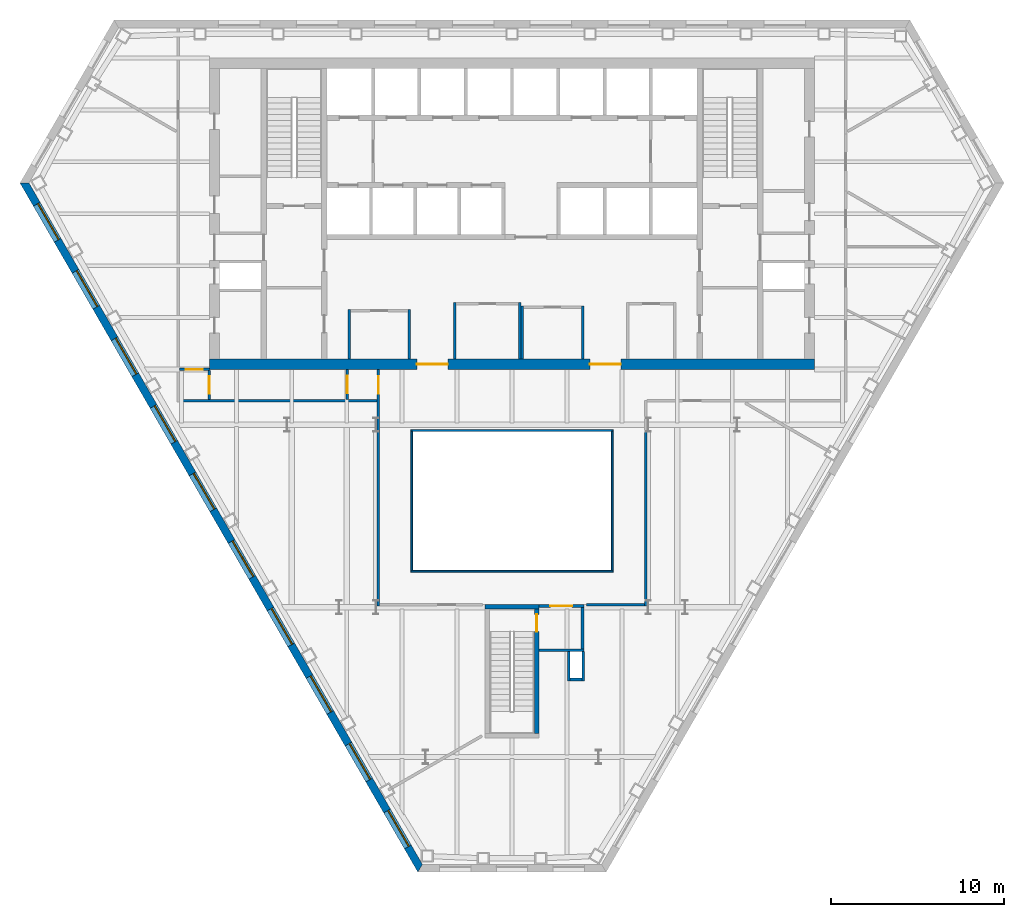
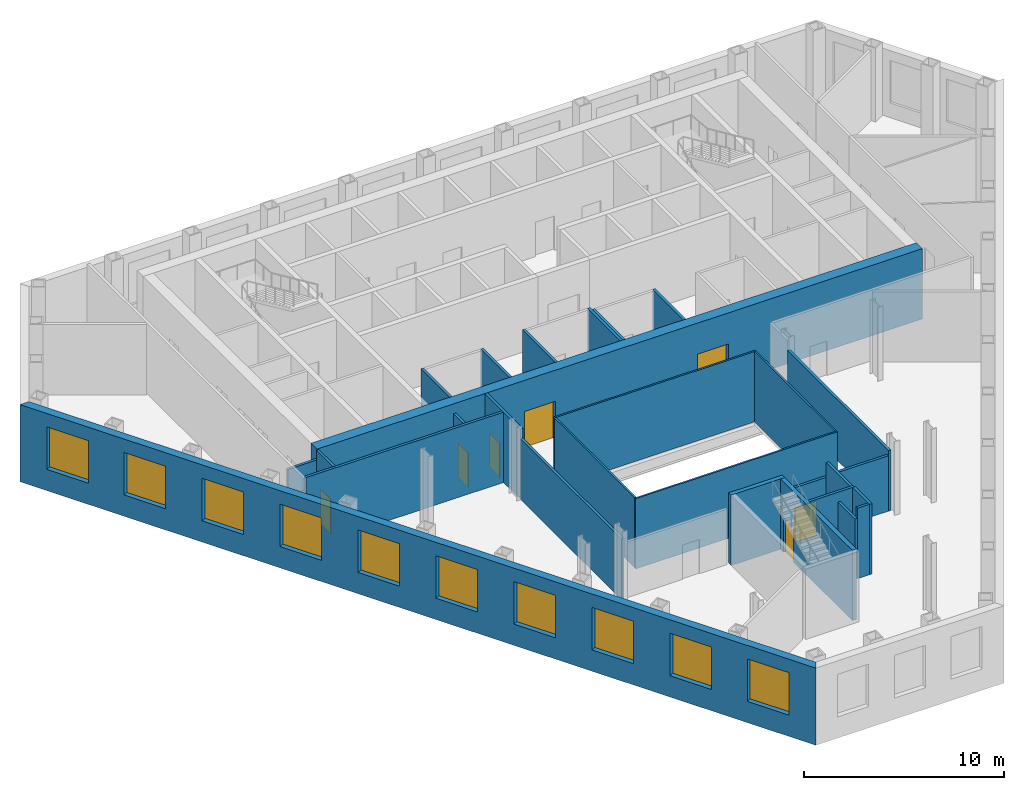
# One storey, part 4 of 10: 28 walls, 10 windows, 8 doors, 18 openings.
"""IFC4 building model written with IfcOpenShell, lengths in metres."""

from ifc_helpers import new_model, si_unit, direction, frame, frame_2d, origin, place, context, subcontext, project, spatial, polyline, rectangle, outline, extrude, material, layer, layer_set, type_object, element, fill, save


model = new_model("IFC4")

# Units and contexts
model_context = context("Model", 3, precision=1e-05, world=origin(), true_north=direction((0.0, 1.0)))
body_context = subcontext(model_context, "Body", "Model", "MODEL_VIEW")
ifc_project = project(units=[si_unit("LENGTHUNIT", "METRE"), si_unit("AREAUNIT", "SQUARE_METRE"), si_unit("VOLUMEUNIT", "CUBIC_METRE"), si_unit("PLANEANGLEUNIT", "RADIAN"), si_unit("MASSUNIT", "GRAM", prefix="KILO")], contexts=[model_context])

# Site, building, storey
site_placement = place(None, origin())
site = spatial("IfcSite", under=ifc_project, at=site_placement, CompositionType="ELEMENT")
building_placement = place(site_placement, origin())
building = spatial("IfcBuilding", under=site, at=building_placement, Name="Njiva Tower", CompositionType="ELEMENT")
storey_placement = place(building_placement, frame((0.0, 0.0, 73.8)))
storey = spatial("IfcBuildingStorey", under=building, at=storey_placement, Name="L15", CompositionType="ELEMENT", Elevation=73.8)

# Walls
ifc_material_1 = material(Name="Blockwork", Category="masonry")
ifc_layer_1 = layer(ifc_material_1, 0.15)
ifc_layer_set_1 = layer_set([ifc_layer_1], Name="Blockwork")
wall_type_1 = type_object("IfcWallType", Name="WT1 Compartment partition 150", PredefinedType="PARTITIONING", material=ifc_layer_set_1)
for number, where, z_axis, x_axis, name in (
    (1, (-9.4, 0.6, 0.0), (0.0, 0.0, 1.0), (0.0, 1.0, 0.0), "Post room wall west"),
    (2, (-5.95, 0.6, 0.0), (0.0, 0.0, 1.0), (0.0, 1.0, 0.0), "Post room wall east"),
):
    element("IfcWall", number, at=place(storey_placement, frame(where, z_axis=z_axis, x_axis=x_axis)), inside=storey, type_object=wall_type_1, Name=name, PredefinedType="PARTITIONING", context=body_context, shape_type="SweptSolid", body=[
        extrude(rectangle(XDim=2.875, YDim=0.15, at=frame_2d((1.4375, 0.0))), origin(), (0.0, 0.0, 1.0), 4.3),
    ])
for number, where, z_axis, x_axis, name in (
    (3, (-3.3, 0.6, 0.0), (0.0, 0.0, 1.0), (0.0, 1.0, 0.0), "Information office wall west"),
    (4, (0.45, 0.6, 0.0), (0.0, 0.0, 1.0), (0.0, 1.0, 0.0), "Information office wall east"),
):
    element("IfcWall", number, at=place(storey_placement, frame(where, z_axis=z_axis, x_axis=x_axis)), inside=storey, type_object=wall_type_1, Name=name, PredefinedType="PARTITIONING", context=body_context, shape_type="SweptSolid", body=[
        extrude(rectangle(XDim=3.275, YDim=0.15, at=frame_2d((1.6375, 0.0))), origin(), (0.0, 0.0, 1.0), 4.3),
    ])
for number, where, z_axis, x_axis, name in (
    (5, (0.6, 0.6, 0.0), (0.0, 0.0, 1.0), (0.0, 1.0, 0.0), "Tenant reception wall west"),
    (6, (4.1, 0.6, 0.0), (0.0, 0.0, 1.0), (0.0, 1.0, 0.0), "Tenant reception wall east"),
):
    element("IfcWall", number, at=place(storey_placement, frame(where, z_axis=z_axis, x_axis=x_axis)), inside=storey, type_object=wall_type_1, Name=name, PredefinedType="PARTITIONING", context=body_context, shape_type="SweptSolid", body=[
        extrude(rectangle(XDim=3.075, YDim=0.15, at=frame_2d((1.5375, 0.0))), origin(), (0.0, 0.0, 1.0), 4.3),
    ])

# Wall, openings, doors
ifc_material_2 = material(Name="Concrete C60/75", Category="concrete")
ifc_layer_2 = layer(ifc_material_2, 0.6)
ifc_layer_set_2 = layer_set([ifc_layer_2], Name="Concrete C60/75")
wall_type_2 = type_object("IfcWallType", Name="WT15 Core wall 600", PredefinedType="SHEAR", material=ifc_layer_set_2)
wall_1_placement = place(storey_placement, frame((-17.5, 0.3, 0.0), z_axis=(0.0, 0.0, 1.0), x_axis=(1.0, 0.0, 0.0)))
wall_1 = element("IfcWall", 7, at=wall_1_placement, inside=storey, type_object=wall_type_2, Name="Core wall south", PredefinedType="SHEAR", context=body_context, shape_type="SweptSolid", body=[
    extrude(rectangle(XDim=35.0, YDim=0.6, at=frame_2d((17.5, 0.0))), origin(), (0.0, 0.0, 1.0), 4.3),
])
opening_1_placement = place(wall_1_placement, frame((12.0, 0.0, 0.0)))
opening_1 = element("IfcOpeningElement", 8, at=opening_1_placement, cuts=wall_1, Name="Opening S05-D937", PredefinedType="OPENING", context=body_context, shape_type="SweptSolid", body=[
    extrude(rectangle(XDim=1.8, YDim=2.4, at=frame_2d((0.9, 1.2))), frame((0.0, 0.31, 0.0), z_axis=(0.0, -1.0, 0.0), x_axis=(1.0, 0.0, 0.0)), (0.0, 0.0, 1.0), 0.62),
])
opening_2_placement = place(wall_1_placement, frame((22.0, 0.0, 0.0)))
opening_2 = element("IfcOpeningElement", 9, at=opening_2_placement, cuts=wall_1, Name="Opening S05-D938", PredefinedType="OPENING", context=body_context, shape_type="SweptSolid", body=[
    extrude(rectangle(XDim=1.8, YDim=2.4, at=frame_2d((0.9, 1.2))), frame((0.0, 0.31, 0.0), z_axis=(0.0, -1.0, 0.0), x_axis=(1.0, 0.0, 0.0)), (0.0, 0.0, 1.0), 0.62),
])
ifc_material_3 = material(Name="Steel and glass door", Category="steel")
door_type_1 = type_object("IfcDoorType", Name="D3 Core entrance door 1800x2400", OperationType="DOUBLE_DOOR_SINGLE_SWING", PredefinedType="DOOR", material=ifc_material_3)
door_1_placement = place(opening_1_placement, origin())
door_1 = element("IfcDoor", 10, at=door_1_placement, inside=storey, type_object=door_type_1, Name="Core entrance door", OperationType="DOUBLE_DOOR_SINGLE_SWING", OverallHeight=2.4, OverallWidth=1.8, PredefinedType="DOOR", context=body_context, shape_type="SweptSolid", body=[
    extrude(rectangle(XDim=1.8, YDim=2.4, at=frame_2d((0.9, 1.2))), frame((0.0, 0.025, 0.0), z_axis=(0.0, -1.0, 0.0), x_axis=(1.0, 0.0, 0.0)), (0.0, 0.0, 1.0), 0.05),
])
fill(opening_1, door_1)
door_2_placement = place(opening_2_placement, origin())
door_2 = element("IfcDoor", 11, at=door_2_placement, inside=storey, type_object=door_type_1, Name="Core entrance door", OperationType="DOUBLE_DOOR_SINGLE_SWING", OverallHeight=2.4, OverallWidth=1.8, PredefinedType="DOOR", context=body_context, shape_type="SweptSolid", body=[
    extrude(rectangle(XDim=1.8, YDim=2.4, at=frame_2d((0.9, 1.2))), frame((0.0, 0.025, 0.0), z_axis=(0.0, -1.0, 0.0), x_axis=(1.0, 0.0, 0.0)), (0.0, 0.0, 1.0), 0.05),
])
fill(opening_2, door_2)

# Wall
ifc_material_4 = material(Name="Gypsum board on steel studs", Category="gypsum")
ifc_layer_3 = layer(ifc_material_4, 0.15)
ifc_layer_set_3 = layer_set([ifc_layer_3], Name="Gypsum board on steel studs")
wall_type_3 = type_object("IfcWallType", Name="WT21 Compartment wall 150", PredefinedType="PARTITIONING", material=ifc_layer_set_3)
wall_2_placement = place(storey_placement, frame((-19.225, -1.8, 0.0), z_axis=(0.0, 0.0, 1.0), x_axis=(1.0, 0.0, 0.0)))
element("IfcWall", 12, at=wall_2_placement, inside=storey, type_object=wall_type_3, Name="Partition S05-P003", PredefinedType="PARTITIONING", context=body_context, shape_type="SweptSolid", body=[
    extrude(rectangle(XDim=11.43, YDim=0.15, at=frame_2d((5.715, 0.0))), origin(), (0.0, 0.0, 1.0), 4.3),
])

# Wall, opening, door
wall_3_placement = place(storey_placement, frame((-19.225, 0.0, 0.0), z_axis=(0.0, 0.0, 1.0), x_axis=(1.0, 0.0, 0.0)))
wall_3 = element("IfcWall", 13, at=wall_3_placement, inside=storey, type_object=wall_type_3, Name="Partition S05-P004", PredefinedType="PARTITIONING", context=body_context, shape_type="SweptSolid", body=[
    extrude(rectangle(XDim=1.725, YDim=0.15, at=frame_2d((0.8625, 0.0))), origin(), (0.0, 0.0, 1.0), 3.7),
])
opening_3_placement = place(wall_3_placement, frame((0.363, 0.0, 0.0)))
opening_3 = element("IfcOpeningElement", 14, at=opening_3_placement, cuts=wall_3, Name="Opening S05-D002", PredefinedType="OPENING", context=body_context, shape_type="SweptSolid", body=[
    extrude(rectangle(XDim=1.0, YDim=2.1, at=frame_2d((0.5, 1.05))), frame((0.0, 0.085, 0.0), z_axis=(0.0, -1.0, 0.0), x_axis=(1.0, 0.0, 0.0)), (0.0, 0.0, 1.0), 0.17),
])
ifc_material_5 = material(Name="Steel fire door set", Category="steel")
door_type_2 = type_object("IfcDoorType", Name="D37 Fire door 1000x2100", OperationType="SINGLE_SWING_LEFT", PredefinedType="DOOR", material=ifc_material_5)
door_3_placement = place(opening_3_placement, origin())
door_3 = element("IfcDoor", 15, at=door_3_placement, inside=storey, type_object=door_type_2, Name="Door S05-D002", OperationType="SINGLE_SWING_LEFT", OverallHeight=2.1, OverallWidth=1.0, PredefinedType="DOOR", context=body_context, shape_type="SweptSolid", body=[
    extrude(rectangle(XDim=1.0, YDim=2.1, at=frame_2d((0.5, 1.05))), frame((0.0, 0.025, 0.0), z_axis=(0.0, -1.0, 0.0), x_axis=(1.0, 0.0, 0.0)), (0.0, 0.0, 1.0), 0.05),
])
fill(opening_3, door_3)

wall_4_placement = place(storey_placement, frame((-17.5, -1.725, 0.0), z_axis=(0.0, 0.0, 1.0), x_axis=(0.0, 1.0, 0.0)))
wall_4 = element("IfcWall", 16, at=wall_4_placement, inside=storey, type_object=wall_type_3, Name="Partition S05-P005", PredefinedType="PARTITIONING", context=body_context, shape_type="SweptSolid", body=[
    extrude(rectangle(XDim=1.65, YDim=0.15, at=frame_2d((0.825, 0.0))), origin(), (0.0, 0.0, 1.0), 4.3),
])
opening_4_placement = place(wall_4_placement, frame((0.325, 0.0, 0.0)))
opening_4 = element("IfcOpeningElement", 17, at=opening_4_placement, cuts=wall_4, Name="Opening S05-D003", PredefinedType="OPENING", context=body_context, shape_type="SweptSolid", body=[
    extrude(rectangle(XDim=1.0, YDim=2.1, at=frame_2d((0.5, 1.05))), frame((0.0, 0.085, 0.0), z_axis=(0.0, -1.0, 0.0), x_axis=(1.0, 0.0, 0.0)), (0.0, 0.0, 1.0), 0.17),
])
door_4_placement = place(opening_4_placement, origin())
door_4 = element("IfcDoor", 18, at=door_4_placement, inside=storey, type_object=door_type_2, Name="Door S05-D003", OperationType="SINGLE_SWING_LEFT", OverallHeight=2.1, OverallWidth=1.0, PredefinedType="DOOR", context=body_context, shape_type="SweptSolid", body=[
    extrude(rectangle(XDim=1.0, YDim=2.1, at=frame_2d((0.5, 1.05))), frame((0.0, 0.025, 0.0), z_axis=(0.0, -1.0, 0.0), x_axis=(1.0, 0.0, 0.0)), (0.0, 0.0, 1.0), 0.05),
])
fill(opening_4, door_4)

wall_5_placement = place(storey_placement, frame((-9.52, -1.725, 0.0), z_axis=(0.0, 0.0, 1.0), x_axis=(0.0, 1.0, 0.0)))
wall_5 = element("IfcWall", 19, at=wall_5_placement, inside=storey, type_object=wall_type_3, Name="Partition S05-P006", PredefinedType="PARTITIONING", context=body_context, shape_type="SweptSolid", body=[
    extrude(rectangle(XDim=1.725, YDim=0.15, at=frame_2d((0.8625, 0.0))), origin(), (0.0, 0.0, 1.0), 3.7),
])
opening_5_placement = place(wall_5_placement, frame((0.363, 0.0, 0.0)))
opening_5 = element("IfcOpeningElement", 20, at=opening_5_placement, cuts=wall_5, Name="Opening S05-D004", PredefinedType="OPENING", context=body_context, shape_type="SweptSolid", body=[
    extrude(rectangle(XDim=1.0, YDim=2.1, at=frame_2d((0.5, 1.05))), frame((0.0, 0.085, 0.0), z_axis=(0.0, -1.0, 0.0), x_axis=(1.0, 0.0, 0.0)), (0.0, 0.0, 1.0), 0.17),
])
door_5_placement = place(opening_5_placement, origin())
door_5 = element("IfcDoor", 21, at=door_5_placement, inside=storey, type_object=door_type_2, Name="Door S05-D004", OperationType="SINGLE_SWING_LEFT", OverallHeight=2.1, OverallWidth=1.0, PredefinedType="DOOR", context=body_context, shape_type="SweptSolid", body=[
    extrude(rectangle(XDim=1.0, YDim=2.1, at=frame_2d((0.5, 1.05))), frame((0.0, 0.025, 0.0), z_axis=(0.0, -1.0, 0.0), x_axis=(1.0, 0.0, 0.0)), (0.0, 0.0, 1.0), 0.05),
])
fill(opening_5, door_5)

# Wall
wall_6_placement = place(storey_placement, frame((-7.72, -13.675, 0.0), z_axis=(0.0, 0.0, 1.0), x_axis=(0.0, 1.0, 0.0)))
element("IfcWall", 22, at=wall_6_placement, inside=storey, type_object=wall_type_3, Name="Partition S05-P007", PredefinedType="PARTITIONING", context=body_context, shape_type="SweptSolid", body=[
    extrude(rectangle(XDim=10.118, YDim=0.15, at=frame_2d((5.059, 0.0))), origin(), (0.0, 0.0, 1.0), 3.7),
])

# Wall, opening, door
wall_7_placement = place(storey_placement, frame((-7.72, -3.557, 0.0), z_axis=(0.0, 0.0, 1.0), x_axis=(0.0, 1.0, 0.0)))
wall_7 = element("IfcWall", 23, at=wall_7_placement, inside=storey, type_object=wall_type_3, Name="Partition S05-P007A", PredefinedType="PARTITIONING", context=body_context, shape_type="SweptSolid", body=[
    extrude(rectangle(XDim=3.557, YDim=0.15, at=frame_2d((1.7785, 0.0))), origin(), (0.0, 0.0, 1.0), 4.3),
])
opening_6_placement = place(wall_7_placement, frame((2.157, 0.0, 0.0)))
opening_6 = element("IfcOpeningElement", 24, at=opening_6_placement, cuts=wall_7, Name="Opening S05-D005", PredefinedType="OPENING", context=body_context, shape_type="SweptSolid", body=[
    extrude(rectangle(XDim=1.0, YDim=2.1, at=frame_2d((0.5, 1.05))), frame((0.0, 0.085, 0.0), z_axis=(0.0, -1.0, 0.0), x_axis=(1.0, 0.0, 0.0)), (0.0, 0.0, 1.0), 0.17),
])
door_6_placement = place(opening_6_placement, origin())
door_6 = element("IfcDoor", 25, at=door_6_placement, inside=storey, type_object=door_type_2, Name="Door S05-D005", OperationType="SINGLE_SWING_LEFT", OverallHeight=2.1, OverallWidth=1.0, PredefinedType="DOOR", context=body_context, shape_type="SweptSolid", body=[
    extrude(rectangle(XDim=1.0, YDim=2.1, at=frame_2d((0.5, 1.05))), frame((0.0, 0.025, 0.0), z_axis=(0.0, -1.0, 0.0), x_axis=(1.0, 0.0, 0.0)), (0.0, 0.0, 1.0), 0.05),
])
fill(opening_6, door_6)

# Walls
wall_8_placement = place(storey_placement, frame((4.3, -13.6, 0.0), z_axis=(0.0, 0.0, 1.0), x_axis=(1.0, 0.0, 0.0)))
element("IfcWall", 26, at=wall_8_placement, inside=storey, type_object=wall_type_3, Name="Partition S05-P010", PredefinedType="PARTITIONING", context=body_context, shape_type="SweptSolid", body=[
    extrude(rectangle(XDim=3.345, YDim=0.15, at=frame_2d((1.6725, 0.0))), origin(), (0.0, 0.0, 1.0), 3.39),
])
wall_9_placement = place(storey_placement, frame((7.72, -13.675, 0.0), z_axis=(0.0, 0.0, 1.0), x_axis=(0.0, 1.0, 0.0)))
element("IfcWall", 27, at=wall_9_placement, inside=storey, type_object=wall_type_3, Name="Partition S05-P011", PredefinedType="PARTITIONING", context=body_context, shape_type="SweptSolid", body=[
    extrude(rectangle(XDim=10.118, YDim=0.15, at=frame_2d((5.059, 0.0))), origin(), (0.0, 0.0, 1.0), 3.7),
])
ifc_layer_4 = layer(ifc_material_1, 0.15)
ifc_layer_set_4 = layer_set([ifc_layer_4], Name="Blockwork")
wall_type_4 = type_object("IfcWallType", Name="WT4 Stair partition 150", PredefinedType="PARTITIONING", material=ifc_layer_set_4)
wall_10_placement = place(storey_placement, frame((1.55, -16.225, 0.0), z_axis=(0.0, 0.0, 1.0), x_axis=(1.0, 0.0, 0.0)))
element("IfcWall", 28, at=wall_10_placement, inside=storey, type_object=wall_type_4, Name="Stair C vestibule wall south", PredefinedType="PARTITIONING", context=body_context, shape_type="SweptSolid", body=[
    extrude(rectangle(XDim=2.6, YDim=0.15, at=frame_2d((1.3, 0.0))), origin(), (0.0, 0.0, 1.0), 4.3),
])
wall_11_placement = place(storey_placement, frame((4.075, -16.15, 0.0), z_axis=(0.0, 0.0, 1.0), x_axis=(0.0, 1.0, 0.0)))
element("IfcWall", 29, at=wall_11_placement, inside=storey, type_object=wall_type_4, Name="Stair C vestibule wall east", PredefinedType="PARTITIONING", context=body_context, shape_type="SweptSolid", body=[
    extrude(rectangle(XDim=2.4, YDim=0.15, at=frame_2d((1.2, 0.0))), origin(), (0.0, 0.0, 1.0), 4.3),
])

# Wall, opening, door
wall_12_placement = place(storey_placement, frame((1.55, -13.675, 0.0), z_axis=(0.0, 0.0, 1.0), x_axis=(1.0, 0.0, 0.0)))
wall_12 = element("IfcWall", 30, at=wall_12_placement, inside=storey, type_object=wall_type_4, Name="Stair C vestibule wall north", PredefinedType="PARTITIONING", context=body_context, shape_type="SweptSolid", body=[
    extrude(rectangle(XDim=2.6, YDim=0.15, at=frame_2d((1.3, 0.0))), origin(), (0.0, 0.0, 1.0), 3.39),
])
opening_7_placement = place(wall_12_placement, frame((0.675, 0.0, 0.0)))
opening_7 = element("IfcOpeningElement", 31, at=opening_7_placement, cuts=wall_12, Name="Opening S05-D940", PredefinedType="OPENING", context=body_context, shape_type="SweptSolid", body=[
    extrude(rectangle(XDim=1.25, YDim=2.1, at=frame_2d((0.625, 1.05))), frame((0.0, 0.085, 0.0), z_axis=(0.0, -1.0, 0.0), x_axis=(1.0, 0.0, 0.0)), (0.0, 0.0, 1.0), 0.17),
])
ifc_material_6 = material(Name="Glazed steel fire door", Category="steel")
door_type_3 = type_object("IfcDoorType", Name="D8 Vestibule corridor door 1250x2100 glazed", OperationType="SINGLE_SWING_LEFT", PredefinedType="DOOR", material=ifc_material_6)
door_7_placement = place(opening_7_placement, origin())
door_7 = element("IfcDoor", 32, at=door_7_placement, inside=storey, type_object=door_type_3, Name="Stair vestibule corridor door", OperationType="SINGLE_SWING_RIGHT", OverallHeight=2.1, OverallWidth=1.25, PredefinedType="DOOR", context=body_context, shape_type="SweptSolid", body=[
    extrude(rectangle(XDim=1.25, YDim=2.1, at=frame_2d((0.625, 1.05))), frame((0.0, 0.025, 0.0), z_axis=(0.0, -1.0, 0.0), x_axis=(1.0, 0.0, 0.0)), (0.0, 0.0, 1.0), 0.05),
])
fill(opening_7, door_7)

# Walls
wall_13_placement = place(storey_placement, frame((3.275, -18.0, 0.0), z_axis=(0.0, 0.0, 1.0), x_axis=(0.0, 1.0, 0.0)))
element("IfcWall", 33, at=wall_13_placement, inside=storey, type_object=wall_type_4, Name="Stair C pressurisation shaft wall", PredefinedType="PARTITIONING", context=body_context, shape_type="SweptSolid", body=[
    extrude(rectangle(XDim=1.7, YDim=0.15, at=frame_2d((0.85, 0.0))), origin(), (0.0, 0.0, 1.0), 3.7),
])
wall_14_placement = place(storey_placement, frame((3.35, -17.925, 0.0), z_axis=(0.0, 0.0, 1.0), x_axis=(1.0, 0.0, 0.0)))
element("IfcWall", 34, at=wall_14_placement, inside=storey, type_object=wall_type_4, Name="Stair C pressurisation shaft wall", PredefinedType="PARTITIONING", context=body_context, shape_type="SweptSolid", body=[
    extrude(rectangle(XDim=0.7, YDim=0.15, at=frame_2d((0.35, 0.0))), origin(), (0.0, 0.0, 1.0), 4.3),
])
wall_15_placement = place(storey_placement, frame((4.125, -18.0, 0.0), z_axis=(0.0, 0.0, 1.0), x_axis=(0.0, 1.0, 0.0)))
element("IfcWall", 35, at=wall_15_placement, inside=storey, type_object=wall_type_4, Name="Stair C pressurisation shaft wall", PredefinedType="PARTITIONING", context=body_context, shape_type="SweptSolid", body=[
    extrude(rectangle(XDim=1.7, YDim=0.15, at=frame_2d((0.85, 0.0))), origin(), (0.0, 0.0, 1.0), 4.3),
])

# Wall, opening, door
ifc_material_7 = material(Name="Concrete C40/50", Category="concrete")
ifc_layer_5 = layer(ifc_material_7, 0.25)
ifc_layer_set_5 = layer_set([ifc_layer_5], Name="Concrete C40/50")
wall_type_5 = type_object("IfcWallType", Name="WT9 Stair enclosure wall 250", PredefinedType="SHEAR", material=ifc_layer_set_5)
wall_16_placement = place(storey_placement, frame((1.425, -21.05, 0.0), z_axis=(0.0, 0.0, 1.0), x_axis=(0.0, 1.0, 0.0)))
wall_16 = element("IfcWall", 36, at=wall_16_placement, inside=storey, type_object=wall_type_5, Name="Stair C wall east", PredefinedType="SHEAR", context=body_context, shape_type="SweptSolid", body=[
    extrude(rectangle(XDim=7.2, YDim=0.25, at=frame_2d((3.6, 0.0))), origin(), (0.0, 0.0, 1.0), 4.3),
])
opening_8_placement = place(wall_16_placement, frame((5.89, 0.0, 0.0)))
opening_8 = element("IfcOpeningElement", 37, at=opening_8_placement, cuts=wall_16, Name="Opening S05-D939", PredefinedType="OPENING", context=body_context, shape_type="SweptSolid", body=[
    extrude(rectangle(XDim=1.0, YDim=2.1, at=frame_2d((0.5, 1.05))), frame((0.0, 0.135, 0.0), z_axis=(0.0, -1.0, 0.0), x_axis=(1.0, 0.0, 0.0)), (0.0, 0.0, 1.0), 0.27),
])
door_type_4 = type_object("IfcDoorType", Name="D9 Stair vestibule door 1000x2100 glazed", OperationType="SINGLE_SWING_LEFT", PredefinedType="DOOR", material=ifc_material_6)
door_8_placement = place(opening_8_placement, origin())
door_8 = element("IfcDoor", 38, at=door_8_placement, inside=storey, type_object=door_type_4, Name="Stair C door", OperationType="SINGLE_SWING_LEFT", OverallHeight=2.1, OverallWidth=1.0, PredefinedType="DOOR", context=body_context, shape_type="SweptSolid", body=[
    extrude(rectangle(XDim=1.0, YDim=2.1, at=frame_2d((0.5, 1.05))), frame((0.0, 0.025, 0.0), z_axis=(0.0, -1.0, 0.0), x_axis=(1.0, 0.0, 0.0)), (0.0, 0.0, 1.0), 0.05),
])
fill(opening_8, door_8)

# Wall
wall_17_placement = place(storey_placement, frame((-1.55, -13.725, 0.0), z_axis=(0.0, 0.0, 1.0), x_axis=(1.0, 0.0, 0.0)))
element("IfcWall", 39, at=wall_17_placement, inside=storey, type_object=wall_type_5, Name="Stair C wall north", PredefinedType="SHEAR", context=body_context, shape_type="SweptSolid", body=[
    extrude(rectangle(XDim=3.1, YDim=0.25, at=frame_2d((1.55, 0.0))), origin(), (0.0, 0.0, 1.0), 4.3),
])

# Wall, openings, windows
ifc_material_8 = material(Name="Brick masonry", Category="masonry")
ifc_layer_6 = layer(ifc_material_8, 0.45)
ifc_layer_set_6 = layer_set([ifc_layer_6], Name="Brick masonry")
wall_type_6 = type_object("IfcWallType", Name="WT90 Brick pier and spandrel wall 450", PredefinedType="SOLIDWALL", material=ifc_layer_set_6)
wall_18_placement = place(storey_placement, frame((-28.1802, 10.7776, -0.4), z_axis=(0.0, 0.0, 1.0), x_axis=(0.500000711659, -0.866024992908, 0.0)))
wall_18 = element("IfcWall", 40, at=wall_18_placement, inside=storey, type_object=wall_type_6, Name="Facade wall SW", PredefinedType="SOLIDWALL", context=body_context, shape_type="SweptSolid", body=[
    extrude(outline(polyline([(-0.1299, -0.225), (45.87, -0.225), (45.6102, 0.225), (0.1299, 0.225), (-0.1299, -0.225)])), origin(), (0.0, 0.0, 1.0), 4.72),
])
opening_9_placement = place(wall_18_placement, frame((1.4242, 0.0, 1.3)))
opening_9 = element("IfcOpeningElement", 41, at=opening_9_placement, cuts=wall_18, Name="Opening S05-W12", PredefinedType="OPENING", context=body_context, shape_type="SweptSolid", body=[
    extrude(rectangle(XDim=2.4, YDim=2.6, at=frame_2d((1.2, 1.3))), frame((0.0, 0.235, 0.0), z_axis=(0.0, -1.0, 0.0), x_axis=(1.0, 0.0, 0.0)), (0.0, 0.0, 1.0), 0.47),
])
opening_10_placement = place(wall_18_placement, frame((5.8934, 0.0, 1.3)))
opening_10 = element("IfcOpeningElement", 42, at=opening_10_placement, cuts=wall_18, Name="Opening S05-W13", PredefinedType="OPENING", context=body_context, shape_type="SweptSolid", body=[
    extrude(rectangle(XDim=2.4, YDim=2.6, at=frame_2d((1.2, 1.3))), frame((0.0, 0.235, 0.0), z_axis=(0.0, -1.0, 0.0), x_axis=(1.0, 0.0, 0.0)), (0.0, 0.0, 1.0), 0.47),
])
opening_11_placement = place(wall_18_placement, frame((10.401, 0.0, 1.3)))
opening_11 = element("IfcOpeningElement", 43, at=opening_11_placement, cuts=wall_18, Name="Opening S05-W14", PredefinedType="OPENING", context=body_context, shape_type="SweptSolid", body=[
    extrude(rectangle(XDim=2.4, YDim=2.6, at=frame_2d((1.2, 1.3))), frame((0.0, 0.235, 0.0), z_axis=(0.0, -1.0, 0.0), x_axis=(1.0, 0.0, 0.0)), (0.0, 0.0, 1.0), 0.47),
])
opening_12_placement = place(wall_18_placement, frame((14.9087, 0.0, 1.3)))
opening_12 = element("IfcOpeningElement", 44, at=opening_12_placement, cuts=wall_18, Name="Opening S05-W15", PredefinedType="OPENING", context=body_context, shape_type="SweptSolid", body=[
    extrude(rectangle(XDim=2.4, YDim=2.6, at=frame_2d((1.2, 1.3))), frame((0.0, 0.235, 0.0), z_axis=(0.0, -1.0, 0.0), x_axis=(1.0, 0.0, 0.0)), (0.0, 0.0, 1.0), 0.47),
])
opening_13_placement = place(wall_18_placement, frame((19.4163, 0.0, 1.3)))
opening_13 = element("IfcOpeningElement", 45, at=opening_13_placement, cuts=wall_18, Name="Opening S05-W16", PredefinedType="OPENING", context=body_context, shape_type="SweptSolid", body=[
    extrude(rectangle(XDim=2.4, YDim=2.6, at=frame_2d((1.2, 1.3))), frame((0.0, 0.235, 0.0), z_axis=(0.0, -1.0, 0.0), x_axis=(1.0, 0.0, 0.0)), (0.0, 0.0, 1.0), 0.47),
])
opening_14_placement = place(wall_18_placement, frame((23.9239, 0.0, 1.3)))
opening_14 = element("IfcOpeningElement", 46, at=opening_14_placement, cuts=wall_18, Name="Opening S05-W17", PredefinedType="OPENING", context=body_context, shape_type="SweptSolid", body=[
    extrude(rectangle(XDim=2.4, YDim=2.6, at=frame_2d((1.2, 1.3))), frame((0.0, 0.235, 0.0), z_axis=(0.0, -1.0, 0.0), x_axis=(1.0, 0.0, 0.0)), (0.0, 0.0, 1.0), 0.47),
])
opening_15_placement = place(wall_18_placement, frame((28.4315, 0.0, 1.3)))
opening_15 = element("IfcOpeningElement", 47, at=opening_15_placement, cuts=wall_18, Name="Opening S05-W18", PredefinedType="OPENING", context=body_context, shape_type="SweptSolid", body=[
    extrude(rectangle(XDim=2.4, YDim=2.6, at=frame_2d((1.2, 1.3))), frame((0.0, 0.235, 0.0), z_axis=(0.0, -1.0, 0.0), x_axis=(1.0, 0.0, 0.0)), (0.0, 0.0, 1.0), 0.47),
])
opening_16_placement = place(wall_18_placement, frame((32.9391, 0.0, 1.3)))
opening_16 = element("IfcOpeningElement", 48, at=opening_16_placement, cuts=wall_18, Name="Opening S05-W19", PredefinedType="OPENING", context=body_context, shape_type="SweptSolid", body=[
    extrude(rectangle(XDim=2.4, YDim=2.6, at=frame_2d((1.2, 1.3))), frame((0.0, 0.235, 0.0), z_axis=(0.0, -1.0, 0.0), x_axis=(1.0, 0.0, 0.0)), (0.0, 0.0, 1.0), 0.47),
])
opening_17_placement = place(wall_18_placement, frame((37.4468, 0.0, 1.3)))
opening_17 = element("IfcOpeningElement", 49, at=opening_17_placement, cuts=wall_18, Name="Opening S05-W20", PredefinedType="OPENING", context=body_context, shape_type="SweptSolid", body=[
    extrude(rectangle(XDim=2.4, YDim=2.6, at=frame_2d((1.2, 1.3))), frame((0.0, 0.235, 0.0), z_axis=(0.0, -1.0, 0.0), x_axis=(1.0, 0.0, 0.0)), (0.0, 0.0, 1.0), 0.47),
])
opening_18_placement = place(wall_18_placement, frame((41.916, 0.0, 1.3)))
opening_18 = element("IfcOpeningElement", 50, at=opening_18_placement, cuts=wall_18, Name="Opening S05-W21", PredefinedType="OPENING", context=body_context, shape_type="SweptSolid", body=[
    extrude(rectangle(XDim=2.4, YDim=2.6, at=frame_2d((1.2, 1.3))), frame((0.0, 0.235, 0.0), z_axis=(0.0, -1.0, 0.0), x_axis=(1.0, 0.0, 0.0)), (0.0, 0.0, 1.0), 0.47),
])
ifc_material_9 = material(Name="Clear glazing in aluminium frame", Category="aluminium")
window_type = type_object("IfcWindowType", Name="W92 Deep-set window 2400x2600", PartitioningType="SINGLE_PANEL", PredefinedType="WINDOW", material=ifc_material_9)
window_1_placement = place(opening_9_placement, origin())
window_1 = element("IfcWindow", 51, at=window_1_placement, inside=storey, type_object=window_type, Name="Window", OverallHeight=2.6, OverallWidth=2.4, PartitioningType="SINGLE_PANEL", PredefinedType="WINDOW", context=body_context, shape_type="SweptSolid", body=[
    extrude(rectangle(XDim=2.4, YDim=2.6, at=frame_2d((1.2, 1.3))), frame((0.0, 0.105, 0.0), z_axis=(0.0, -1.0, 0.0), x_axis=(1.0, 0.0, 0.0)), (0.0, 0.0, 1.0), 0.06),
])
fill(opening_9, window_1)
window_2_placement = place(opening_10_placement, origin())
window_2 = element("IfcWindow", 52, at=window_2_placement, inside=storey, type_object=window_type, Name="Window", OverallHeight=2.6, OverallWidth=2.4, PartitioningType="SINGLE_PANEL", PredefinedType="WINDOW", context=body_context, shape_type="SweptSolid", body=[
    extrude(rectangle(XDim=2.4, YDim=2.6, at=frame_2d((1.2, 1.3))), frame((0.0, 0.105, 0.0), z_axis=(0.0, -1.0, 0.0), x_axis=(1.0, 0.0, 0.0)), (0.0, 0.0, 1.0), 0.06),
])
fill(opening_10, window_2)
window_3_placement = place(opening_11_placement, origin())
window_3 = element("IfcWindow", 53, at=window_3_placement, inside=storey, type_object=window_type, Name="Window", OverallHeight=2.6, OverallWidth=2.4, PartitioningType="SINGLE_PANEL", PredefinedType="WINDOW", context=body_context, shape_type="SweptSolid", body=[
    extrude(rectangle(XDim=2.4, YDim=2.6, at=frame_2d((1.2, 1.3))), frame((0.0, 0.105, 0.0), z_axis=(0.0, -1.0, 0.0), x_axis=(1.0, 0.0, 0.0)), (0.0, 0.0, 1.0), 0.06),
])
fill(opening_11, window_3)
window_4_placement = place(opening_12_placement, origin())
window_4 = element("IfcWindow", 54, at=window_4_placement, inside=storey, type_object=window_type, Name="Window", OverallHeight=2.6, OverallWidth=2.4, PartitioningType="SINGLE_PANEL", PredefinedType="WINDOW", context=body_context, shape_type="SweptSolid", body=[
    extrude(rectangle(XDim=2.4, YDim=2.6, at=frame_2d((1.2, 1.3))), frame((0.0, 0.105, 0.0), z_axis=(0.0, -1.0, 0.0), x_axis=(1.0, 0.0, 0.0)), (0.0, 0.0, 1.0), 0.06),
])
fill(opening_12, window_4)
window_5_placement = place(opening_13_placement, origin())
window_5 = element("IfcWindow", 55, at=window_5_placement, inside=storey, type_object=window_type, Name="Window", OverallHeight=2.6, OverallWidth=2.4, PartitioningType="SINGLE_PANEL", PredefinedType="WINDOW", context=body_context, shape_type="SweptSolid", body=[
    extrude(rectangle(XDim=2.4, YDim=2.6, at=frame_2d((1.2, 1.3))), frame((0.0, 0.105, 0.0), z_axis=(0.0, -1.0, 0.0), x_axis=(1.0, 0.0, 0.0)), (0.0, 0.0, 1.0), 0.06),
])
fill(opening_13, window_5)
window_6_placement = place(opening_14_placement, origin())
window_6 = element("IfcWindow", 56, at=window_6_placement, inside=storey, type_object=window_type, Name="Window", OverallHeight=2.6, OverallWidth=2.4, PartitioningType="SINGLE_PANEL", PredefinedType="WINDOW", context=body_context, shape_type="SweptSolid", body=[
    extrude(rectangle(XDim=2.4, YDim=2.6, at=frame_2d((1.2, 1.3))), frame((0.0, 0.105, 0.0), z_axis=(0.0, -1.0, 0.0), x_axis=(1.0, 0.0, 0.0)), (0.0, 0.0, 1.0), 0.06),
])
fill(opening_14, window_6)
window_7_placement = place(opening_15_placement, origin())
window_7 = element("IfcWindow", 57, at=window_7_placement, inside=storey, type_object=window_type, Name="Window", OverallHeight=2.6, OverallWidth=2.4, PartitioningType="SINGLE_PANEL", PredefinedType="WINDOW", context=body_context, shape_type="SweptSolid", body=[
    extrude(rectangle(XDim=2.4, YDim=2.6, at=frame_2d((1.2, 1.3))), frame((0.0, 0.105, 0.0), z_axis=(0.0, -1.0, 0.0), x_axis=(1.0, 0.0, 0.0)), (0.0, 0.0, 1.0), 0.06),
])
fill(opening_15, window_7)
window_8_placement = place(opening_16_placement, origin())
window_8 = element("IfcWindow", 58, at=window_8_placement, inside=storey, type_object=window_type, Name="Window", OverallHeight=2.6, OverallWidth=2.4, PartitioningType="SINGLE_PANEL", PredefinedType="WINDOW", context=body_context, shape_type="SweptSolid", body=[
    extrude(rectangle(XDim=2.4, YDim=2.6, at=frame_2d((1.2, 1.3))), frame((0.0, 0.105, 0.0), z_axis=(0.0, -1.0, 0.0), x_axis=(1.0, 0.0, 0.0)), (0.0, 0.0, 1.0), 0.06),
])
fill(opening_16, window_8)
window_9_placement = place(opening_17_placement, origin())
window_9 = element("IfcWindow", 59, at=window_9_placement, inside=storey, type_object=window_type, Name="Window", OverallHeight=2.6, OverallWidth=2.4, PartitioningType="SINGLE_PANEL", PredefinedType="WINDOW", context=body_context, shape_type="SweptSolid", body=[
    extrude(rectangle(XDim=2.4, YDim=2.6, at=frame_2d((1.2, 1.3))), frame((0.0, 0.105, 0.0), z_axis=(0.0, -1.0, 0.0), x_axis=(1.0, 0.0, 0.0)), (0.0, 0.0, 1.0), 0.06),
])
fill(opening_17, window_9)
window_10_placement = place(opening_18_placement, origin())
window_10 = element("IfcWindow", 60, at=window_10_placement, inside=storey, type_object=window_type, Name="Window", OverallHeight=2.6, OverallWidth=2.4, PartitioningType="SINGLE_PANEL", PredefinedType="WINDOW", context=body_context, shape_type="SweptSolid", body=[
    extrude(rectangle(XDim=2.4, YDim=2.6, at=frame_2d((1.2, 1.3))), frame((0.0, 0.105, 0.0), z_axis=(0.0, -1.0, 0.0), x_axis=(1.0, 0.0, 0.0)), (0.0, 0.0, 1.0), 0.06),
])
fill(opening_18, window_10)

# Walls
ifc_material_10 = material(Name="Fire-resisting glazing EI 90", Category="glass")
ifc_layer_7 = layer(ifc_material_10, 0.1)
ifc_layer_set_7 = layer_set([ifc_layer_7], Name="Fire-resisting glazing EI 90")
wall_type_7 = type_object("IfcWallType", Name="WT95 Fire-resisting glazed screen EI 90", PredefinedType="PARTITIONING", material=ifc_layer_set_7)
wall_19_placement = place(storey_placement, frame((-5.84, -11.67, 0.0), z_axis=(0.0, 0.0, 1.0), x_axis=(1.0, 0.0, 0.0)))
element("IfcWall", 61, at=wall_19_placement, inside=storey, type_object=wall_type_7, Name="Atrium fire screen south", PredefinedType="PARTITIONING", context=body_context, shape_type="SweptSolid", body=[
    extrude(rectangle(XDim=11.68, YDim=0.1, at=frame_2d((5.84, 0.0))), origin(), (0.0, 0.0, 1.0), 4.3),
])
wall_20_placement = place(storey_placement, frame((5.79, -11.62, 0.0), z_axis=(0.0, 0.0, 1.0), x_axis=(0.0, 1.0, 0.0)))
element("IfcWall", 62, at=wall_20_placement, inside=storey, type_object=wall_type_7, Name="Atrium fire screen east", PredefinedType="PARTITIONING", context=body_context, shape_type="SweptSolid", body=[
    extrude(rectangle(XDim=8.04, YDim=0.1, at=frame_2d((4.02, 0.0))), origin(), (0.0, 0.0, 1.0), 4.3),
])
wall_21_placement = place(storey_placement, frame((5.84, -3.53, 0.0), z_axis=(0.0, 0.0, 1.0), x_axis=(-1.0, 0.0, 0.0)))
element("IfcWall", 63, at=wall_21_placement, inside=storey, type_object=wall_type_7, Name="Atrium fire screen north", PredefinedType="PARTITIONING", context=body_context, shape_type="SweptSolid", body=[
    extrude(rectangle(XDim=11.68, YDim=0.1, at=frame_2d((5.84, 0.0))), origin(), (0.0, 0.0, 1.0), 4.3),
])
wall_22_placement = place(storey_placement, frame((-5.79, -3.58, 0.0), z_axis=(0.0, 0.0, 1.0), x_axis=(0.0, -1.0, 0.0)))
element("IfcWall", 64, at=wall_22_placement, inside=storey, type_object=wall_type_7, Name="Atrium fire screen west", PredefinedType="PARTITIONING", context=body_context, shape_type="SweptSolid", body=[
    extrude(rectangle(XDim=8.04, YDim=0.1, at=frame_2d((4.02, 0.0))), origin(), (0.0, 0.0, 1.0), 4.3),
])

save(model, "model.ifc")
